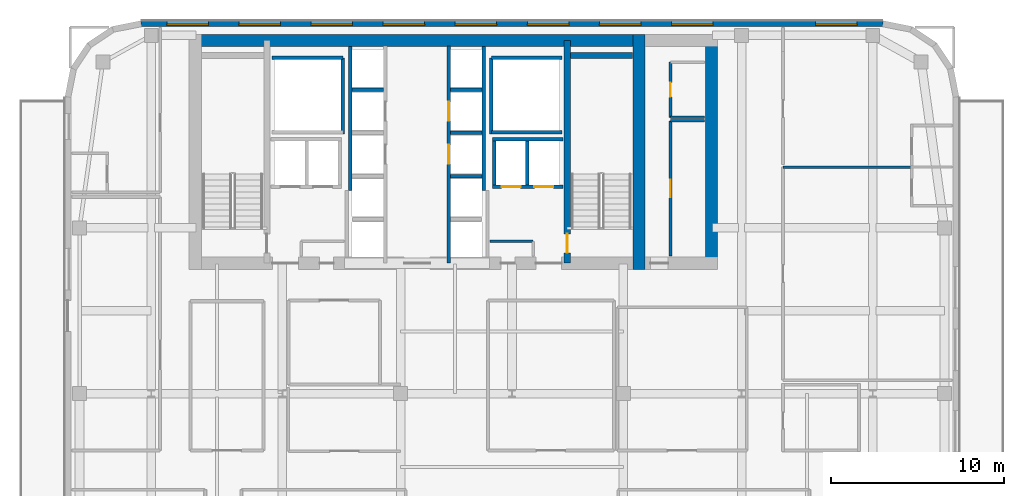
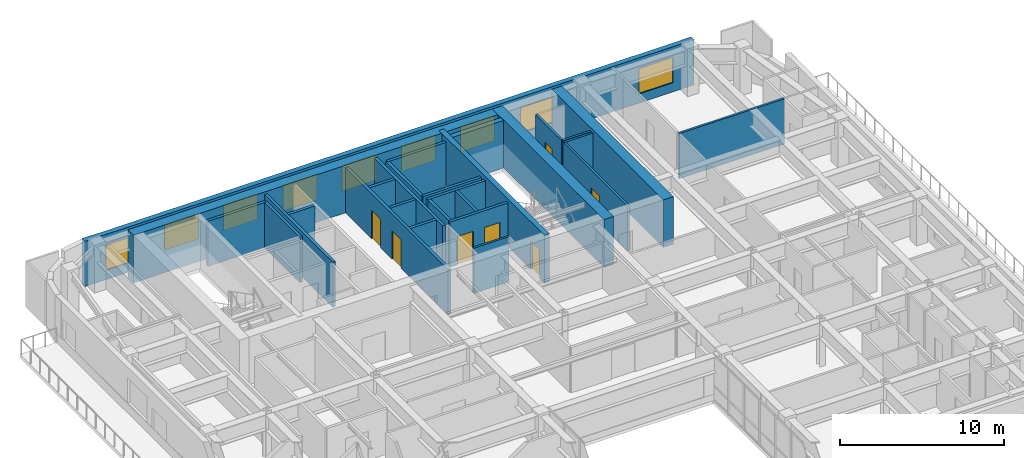
# One storey, part 14 of 20: 28 walls, 9 windows, 7 doors, 16 openings.
"""IFC4 building model written with IfcOpenShell, lengths in metres."""

from ifc_helpers import new_model, si_unit, direction, frame, frame_2d, origin, place, context, subcontext, project, spatial, rectangle, extrude, source, transform, mapped, material, layer, layer_set, type_object, type_shapes, element, fill, save


model = new_model("IFC4")

# Units and contexts
model_context = context("Model", 3, precision=1e-05, world=origin(), true_north=direction((0.0, 1.0)))
body_context = subcontext(model_context, "Body", "Model", "MODEL_VIEW")
ifc_project = project(units=[si_unit("LENGTHUNIT", "METRE"), si_unit("AREAUNIT", "SQUARE_METRE"), si_unit("VOLUMEUNIT", "CUBIC_METRE"), si_unit("PLANEANGLEUNIT", "RADIAN"), si_unit("MASSUNIT", "GRAM", prefix="KILO")], contexts=[model_context])

# Site, building, storey
site_placement = place(None, origin())
site = spatial("IfcSite", under=ifc_project, at=site_placement, CompositionType="ELEMENT")
building_placement = place(site_placement, origin())
building = spatial("IfcBuilding", under=site, at=building_placement, Name="Tolvann Quenvar Hotel", CompositionType="ELEMENT")
storey_placement = place(building_placement, frame((0.0, 0.0, 147.050048828125)))
storey = spatial("IfcBuildingStorey", under=building, at=storey_placement, Name="L38", CompositionType="ELEMENT", Elevation=147.050048828125)

# Walls
ifc_material_1 = material(Name="Concrete S65 (65 MPa)", Category="concrete")
ifc_layer_1 = layer(ifc_material_1, 0.699951171875)
ifc_layer_set_1 = layer_set([ifc_layer_1], Name="Concrete S65 (65 MPa)")
wall_type_1 = type_object("IfcWallType", Name="WALL_CORE_700", PredefinedType="SHEAR", material=ifc_layer_set_1)
wall_1_placement = place(storey_placement, frame((9.800048828125, 44.85009765625, 0.0), z_axis=(0.0, 0.0, 1.0), x_axis=(1.0, 0.0, 0.0)))
element("IfcWall", 1, at=wall_1_placement, inside=storey, type_object=wall_type_1, Name="Rear Core N Shear Wall (L38)", PredefinedType="SHEAR", context=body_context, shape_type="SweptSolid", body=[
    extrude(rectangle(XDim=26.39990234375, YDim=0.699951171875, at=frame_2d((13.199951171875, 0.0))), origin(), (0.0, 0.0, 1.0), 3.550048828125),
])
for number, where, z_axis, x_axis, name in (
    (2, (35.85009765625, 31.60009765625, 0.0), (0.0, 0.0, 1.0), (0.0, 1.0, 0.0), "Rear Core E Shear Wall (L38)"),
    (3, (40.050048828125, 31.60009765625, 0.0), (0.0, 0.0, 1.0), (0.0, 1.0, 0.0), "Core East Annex Shear Wall ANN-E (L38)"),
):
    element("IfcWall", number, at=place(storey_placement, frame(where, z_axis=z_axis, x_axis=x_axis)), inside=storey, type_object=wall_type_1, Name=name, PredefinedType="SHEAR", context=body_context, shape_type="SweptSolid", body=[
        extrude(rectangle(XDim=13.599853515625, YDim=0.699951171875, at=frame_2d((6.7998046875, 0.0))), origin(), (0.0, 0.0, 1.0), 3.550048828125),
    ])

# Wall, opening, door
ifc_layer_2 = layer(ifc_material_1, 0.35009765625)
ifc_layer_set_2 = layer_set([ifc_layer_2], Name="Concrete S65 (65 MPa)")
wall_type_2 = type_object("IfcWallType", Name="WALL_CORE_INT_350", PredefinedType="SHEAR", material=ifc_layer_set_2)
wall_2_placement = place(storey_placement, frame((31.699951171875, 31.949951171875, 0.0), z_axis=(0.0, 0.0, 1.0), x_axis=(0.0, 1.0, 0.0)))
wall_2 = element("IfcWall", 4, at=wall_2_placement, inside=storey, type_object=wall_type_2, Name="Core Internal Web Shear Wall WEB-E (L38)", PredefinedType="SHEAR", context=body_context, shape_type="SweptSolid", body=[
    extrude(rectangle(XDim=12.900146484375, YDim=0.35009765625, at=frame_2d((6.4501953125, 0.0))), origin(), (0.0, 0.0, 1.0), 3.550048828125),
])
opening_1_placement = place(wall_2_placement, frame((1.7001953125, 0.0, 0.0), z_axis=(0.0, 0.0, 1.0), x_axis=(-1.0, 0.0, 0.0)))
opening_1 = element("IfcOpeningElement", 5, at=opening_1_placement, cuts=wall_2, Name="Opening FD-120", PredefinedType="OPENING", context=body_context, shape_type="SweptSolid", body=[
    extrude(rectangle(XDim=1.10009765625, YDim=2.1201171875, at=frame_2d((0.550048828125, 1.06005859375))), frame((0.0, 0.18505859375, 0.0), z_axis=(0.0, -1.0, 0.0), x_axis=(1.0, 0.0, 0.0)), (0.0, 0.0, 1.0), 0.3701171875),
])
ifc_material_2 = material(Name="Pressed galvanised steel fire-rated door set", Category="steel")
door_type_1 = type_object("IfcDoorType", Name="DOOR_FIRE_STAIR_1100", OperationType="NOTDEFINED", PredefinedType="DOOR", material=ifc_material_2)
shared_shape_1 = source(origin(), body_context, "Body", "SweptSolid", [
    extrude(rectangle(XDim=1.10009765625, YDim=2.1201171875, at=frame_2d((0.550048828125, 1.06005859375))), frame((0.0, 0.02490234375, 0.0), z_axis=(0.0, -1.0, 0.0), x_axis=(1.0, 0.0, 0.0)), (0.0, 0.0, 1.0), 0.050048828125),
])
type_shapes(door_type_1, [shared_shape_1])
door_1_placement = place(opening_1_placement, origin())
door_1 = element("IfcDoor", 6, at=door_1_placement, inside=storey, type_object=door_type_1, Name="Exit Stair ST-C2 Fire Door (L38)", OperationType="SINGLE_SWING_RIGHT", OverallHeight=2.1201171875, OverallWidth=1.10009765625, PredefinedType="DOOR", context=body_context, shape_type="MappedRepresentation", body=[
    mapped(shared_shape_1, transform((0.0, 0.0, 0.0), x_axis=(1.0, 0.0, 0.0), y_axis=(0.0, 1.0, 0.0), z_axis=(0.0, 0.0, 1.0), scale=1.0)),
])
fill(opening_1, door_1)

# Wall
wall_3_placement = place(storey_placement, frame((31.8798828125, 43.97509765625, 0.0), z_axis=(0.0, 0.0, 1.0), x_axis=(1.0, 0.0, 0.0)))
element("IfcWall", 7, at=wall_3_placement, inside=storey, type_object=wall_type_2, Name="Core Stair North Closing Shear Wall STC2-N (L38)", PredefinedType="SHEAR", context=body_context, shape_type="SweptSolid", body=[
    extrude(rectangle(XDim=3.60009765625, YDim=0.35009765625, at=frame_2d((1.800048828125, 0.0))), origin(), (0.0, 0.0, 1.0), 3.550048828125),
])

# Wall, openings, windows
ifc_material_3 = material(Name="Kiln-fired red and buff architectural clay brickwork and terracotta masonry", Category="masonry")
ifc_layer_3 = layer(ifc_material_3, 0.35009765625)
ifc_layer_set_3 = layer_set([ifc_layer_3], Name="Kiln-fired red and buff architectural clay brickwork and terracotta masonry")
wall_type_3 = type_object("IfcWallType", Name="WALL_EXT_BRICK_350", PredefinedType="SOLIDWALL", material=ifc_layer_set_3)
wall_4_placement = place(storey_placement, frame((49.98291015625, 45.824951171875, 0.0), z_axis=(0.0, 0.0, 1.0), x_axis=(-1.0, 0.0, 0.0)))
wall_4 = element("IfcWall", 8, at=wall_4_placement, inside=storey, type_object=wall_type_3, Name="Exterior Chicago Brick Wall L38-E18", PredefinedType="SOLIDWALL", context=body_context, shape_type="SweptSolid", body=[
    extrude(rectangle(XDim=42.9658203125, YDim=0.35009765625, at=frame_2d((21.48291015625, 0.0))), origin(), (0.0, 0.0, 1.0), 3.369873046875),
])
opening_2_placement = place(wall_4_placement, frame((1.488037109375, 0.0, 0.679931640625)))
opening_2 = element("IfcOpeningElement", 9, at=opening_2_placement, cuts=wall_4, Name="Opening W-01", PredefinedType="OPENING", context=body_context, shape_type="SweptSolid", body=[
    extrude(rectangle(XDim=2.39990234375, YDim=1.89990234375, at=frame_2d((1.199951171875, 0.949951171875))), frame((0.0, 0.18505859375, 0.0), z_axis=(0.0, -1.0, 0.0), x_axis=(1.0, 0.0, 0.0)), (0.0, 0.0, 1.0), 0.3701171875),
])
opening_3_placement = place(wall_4_placement, frame((9.841064453125, 0.0, 0.679931640625)))
opening_3 = element("IfcOpeningElement", 10, at=opening_3_placement, cuts=wall_4, Name="Opening W-01", PredefinedType="OPENING", context=body_context, shape_type="SweptSolid", body=[
    extrude(rectangle(XDim=2.39990234375, YDim=1.89990234375, at=frame_2d((1.199951171875, 0.949951171875))), frame((0.0, 0.18505859375, 0.0), z_axis=(0.0, -1.0, 0.0), x_axis=(1.0, 0.0, 0.0)), (0.0, 0.0, 1.0), 0.3701171875),
])
opening_4_placement = place(wall_4_placement, frame((14.01806640625, 0.0, 0.679931640625)))
opening_4 = element("IfcOpeningElement", 11, at=opening_4_placement, cuts=wall_4, Name="Opening W-01", PredefinedType="OPENING", context=body_context, shape_type="SweptSolid", body=[
    extrude(rectangle(XDim=2.39990234375, YDim=1.89990234375, at=frame_2d((1.199951171875, 0.949951171875))), frame((0.0, 0.18505859375, 0.0), z_axis=(0.0, -1.0, 0.0), x_axis=(1.0, 0.0, 0.0)), (0.0, 0.0, 1.0), 0.3701171875),
])
opening_5_placement = place(wall_4_placement, frame((18.195068359375, 0.0, 0.679931640625)))
opening_5 = element("IfcOpeningElement", 12, at=opening_5_placement, cuts=wall_4, Name="Opening W-01", PredefinedType="OPENING", context=body_context, shape_type="SweptSolid", body=[
    extrude(rectangle(XDim=2.39990234375, YDim=1.89990234375, at=frame_2d((1.199951171875, 0.949951171875))), frame((0.0, 0.18505859375, 0.0), z_axis=(0.0, -1.0, 0.0), x_axis=(1.0, 0.0, 0.0)), (0.0, 0.0, 1.0), 0.3701171875),
])
opening_6_placement = place(wall_4_placement, frame((22.37109375, 0.0, 0.679931640625)))
opening_6 = element("IfcOpeningElement", 13, at=opening_6_placement, cuts=wall_4, Name="Opening W-01", PredefinedType="OPENING", context=body_context, shape_type="SweptSolid", body=[
    extrude(rectangle(XDim=2.39990234375, YDim=1.89990234375, at=frame_2d((1.199951171875, 0.949951171875))), frame((0.0, 0.18505859375, 0.0), z_axis=(0.0, -1.0, 0.0), x_axis=(1.0, 0.0, 0.0)), (0.0, 0.0, 1.0), 0.3701171875),
])
opening_7_placement = place(wall_4_placement, frame((26.548095703125, 0.0, 0.679931640625)))
opening_7 = element("IfcOpeningElement", 14, at=opening_7_placement, cuts=wall_4, Name="Opening W-01", PredefinedType="OPENING", context=body_context, shape_type="SweptSolid", body=[
    extrude(rectangle(XDim=2.39990234375, YDim=1.89990234375, at=frame_2d((1.199951171875, 0.949951171875))), frame((0.0, 0.18505859375, 0.0), z_axis=(0.0, -1.0, 0.0), x_axis=(1.0, 0.0, 0.0)), (0.0, 0.0, 1.0), 0.3701171875),
])
opening_8_placement = place(wall_4_placement, frame((30.72412109375, 0.0, 0.679931640625)))
opening_8 = element("IfcOpeningElement", 15, at=opening_8_placement, cuts=wall_4, Name="Opening W-01", PredefinedType="OPENING", context=body_context, shape_type="SweptSolid", body=[
    extrude(rectangle(XDim=2.39990234375, YDim=1.89990234375, at=frame_2d((1.199951171875, 0.949951171875))), frame((0.0, 0.18505859375, 0.0), z_axis=(0.0, -1.0, 0.0), x_axis=(1.0, 0.0, 0.0)), (0.0, 0.0, 1.0), 0.3701171875),
])
opening_9_placement = place(wall_4_placement, frame((34.90087890625, 0.0, 0.679931640625)))
opening_9 = element("IfcOpeningElement", 16, at=opening_9_placement, cuts=wall_4, Name="Opening W-01", PredefinedType="OPENING", context=body_context, shape_type="SweptSolid", body=[
    extrude(rectangle(XDim=2.39990234375, YDim=1.89990234375, at=frame_2d((1.199951171875, 0.949951171875))), frame((0.0, 0.18505859375, 0.0), z_axis=(0.0, -1.0, 0.0), x_axis=(1.0, 0.0, 0.0)), (0.0, 0.0, 1.0), 0.3701171875),
])
opening_10_placement = place(wall_4_placement, frame((39.076904296875, 0.0, 0.679931640625)))
opening_10 = element("IfcOpeningElement", 17, at=opening_10_placement, cuts=wall_4, Name="Opening W-01", PredefinedType="OPENING", context=body_context, shape_type="SweptSolid", body=[
    extrude(rectangle(XDim=2.39990234375, YDim=1.89990234375, at=frame_2d((1.199951171875, 0.949951171875))), frame((0.0, 0.18505859375, 0.0), z_axis=(0.0, -1.0, 0.0), x_axis=(1.0, 0.0, 0.0)), (0.0, 0.0, 1.0), 0.3701171875),
])
ifc_material_4 = material(Name="Thermally broken bronze-anodised aluminium frame with double low-E glazing", Category="aluminium")
window_type = type_object("IfcWindowType", Name="WIN_CHI_2400x2050", PartitioningType="TRIPLE_PANEL_HORIZONTAL", PredefinedType="WINDOW", material=ifc_material_4)
shared_shape_2 = source(origin(), body_context, "Body", "SweptSolid", [
    extrude(rectangle(XDim=2.39990234375, YDim=1.89990234375, at=frame_2d((1.199951171875, 0.949951171875))), frame((0.0, 0.090087890625, 0.0), z_axis=(0.0, -1.0, 0.0), x_axis=(1.0, 0.0, 0.0)), (0.0, 0.0, 1.0), 0.06005859375),
])
type_shapes(window_type, [shared_shape_2])
window_1_placement = place(opening_2_placement, origin())
window_1 = element("IfcWindow", 18, at=window_1_placement, inside=storey, type_object=window_type, Name="Chicago Window W-01 (EW-L38-E18-W01)", OverallHeight=1.89990234375, OverallWidth=2.39990234375, PartitioningType="TRIPLE_PANEL_HORIZONTAL", PredefinedType="WINDOW", context=body_context, shape_type="MappedRepresentation", body=[
    mapped(shared_shape_2, transform((0.0, 0.0, 0.0), x_axis=(1.0, 0.0, 0.0), y_axis=(0.0, 1.0, 0.0), z_axis=(0.0, 0.0, 1.0), scale=1.0)),
])
fill(opening_2, window_1)
window_2_placement = place(opening_3_placement, origin())
window_2 = element("IfcWindow", 19, at=window_2_placement, inside=storey, type_object=window_type, Name="Chicago Window W-01 (EW-L38-E18-W02)", OverallHeight=1.89990234375, OverallWidth=2.39990234375, PartitioningType="TRIPLE_PANEL_HORIZONTAL", PredefinedType="WINDOW", context=body_context, shape_type="MappedRepresentation", body=[
    mapped(shared_shape_2, transform((0.0, 0.0, 0.0), x_axis=(1.0, 0.0, 0.0), y_axis=(0.0, 1.0, 0.0), z_axis=(0.0, 0.0, 1.0), scale=1.0)),
])
fill(opening_3, window_2)
window_3_placement = place(opening_4_placement, origin())
window_3 = element("IfcWindow", 20, at=window_3_placement, inside=storey, type_object=window_type, Name="Chicago Window W-01 (EW-L38-E18-W03)", OverallHeight=1.89990234375, OverallWidth=2.39990234375, PartitioningType="TRIPLE_PANEL_HORIZONTAL", PredefinedType="WINDOW", context=body_context, shape_type="MappedRepresentation", body=[
    mapped(shared_shape_2, transform((0.0, 0.0, 0.0), x_axis=(1.0, 0.0, 0.0), y_axis=(0.0, 1.0, 0.0), z_axis=(0.0, 0.0, 1.0), scale=1.0)),
])
fill(opening_4, window_3)
window_4_placement = place(opening_5_placement, origin())
window_4 = element("IfcWindow", 21, at=window_4_placement, inside=storey, type_object=window_type, Name="Chicago Window W-01 (EW-L38-E18-W04)", OverallHeight=1.89990234375, OverallWidth=2.39990234375, PartitioningType="TRIPLE_PANEL_HORIZONTAL", PredefinedType="WINDOW", context=body_context, shape_type="MappedRepresentation", body=[
    mapped(shared_shape_2, transform((0.0, 0.0, 0.0), x_axis=(1.0, 0.0, 0.0), y_axis=(0.0, 1.0, 0.0), z_axis=(0.0, 0.0, 1.0), scale=1.0)),
])
fill(opening_5, window_4)
window_5_placement = place(opening_6_placement, origin())
window_5 = element("IfcWindow", 22, at=window_5_placement, inside=storey, type_object=window_type, Name="Chicago Window W-01 (EW-L38-E18-W05)", OverallHeight=1.89990234375, OverallWidth=2.39990234375, PartitioningType="TRIPLE_PANEL_HORIZONTAL", PredefinedType="WINDOW", context=body_context, shape_type="MappedRepresentation", body=[
    mapped(shared_shape_2, transform((0.0, 0.0, 0.0), x_axis=(1.0, 0.0, 0.0), y_axis=(0.0, 1.0, 0.0), z_axis=(0.0, 0.0, 1.0), scale=1.0)),
])
fill(opening_6, window_5)
window_6_placement = place(opening_7_placement, origin())
window_6 = element("IfcWindow", 23, at=window_6_placement, inside=storey, type_object=window_type, Name="Chicago Window W-01 (EW-L38-E18-W06)", OverallHeight=1.89990234375, OverallWidth=2.39990234375, PartitioningType="TRIPLE_PANEL_HORIZONTAL", PredefinedType="WINDOW", context=body_context, shape_type="MappedRepresentation", body=[
    mapped(shared_shape_2, transform((0.0, 0.0, 0.0), x_axis=(1.0, 0.0, 0.0), y_axis=(0.0, 1.0, 0.0), z_axis=(0.0, 0.0, 1.0), scale=1.0)),
])
fill(opening_7, window_6)
window_7_placement = place(opening_8_placement, origin())
window_7 = element("IfcWindow", 24, at=window_7_placement, inside=storey, type_object=window_type, Name="Chicago Window W-01 (EW-L38-E18-W07)", OverallHeight=1.89990234375, OverallWidth=2.39990234375, PartitioningType="TRIPLE_PANEL_HORIZONTAL", PredefinedType="WINDOW", context=body_context, shape_type="MappedRepresentation", body=[
    mapped(shared_shape_2, transform((0.0, 0.0, 0.0), x_axis=(1.0, 0.0, 0.0), y_axis=(0.0, 1.0, 0.0), z_axis=(0.0, 0.0, 1.0), scale=1.0)),
])
fill(opening_8, window_7)
window_8_placement = place(opening_9_placement, origin())
window_8 = element("IfcWindow", 25, at=window_8_placement, inside=storey, type_object=window_type, Name="Chicago Window W-01 (EW-L38-E18-W08)", OverallHeight=1.89990234375, OverallWidth=2.39990234375, PartitioningType="TRIPLE_PANEL_HORIZONTAL", PredefinedType="WINDOW", context=body_context, shape_type="MappedRepresentation", body=[
    mapped(shared_shape_2, transform((0.0, 0.0, 0.0), x_axis=(1.0, 0.0, 0.0), y_axis=(0.0, 1.0, 0.0), z_axis=(0.0, 0.0, 1.0), scale=1.0)),
])
fill(opening_9, window_8)
window_9_placement = place(opening_10_placement, origin())
window_9 = element("IfcWindow", 26, at=window_9_placement, inside=storey, type_object=window_type, Name="Chicago Window W-01 (EW-L38-E18-W09)", OverallHeight=1.89990234375, OverallWidth=2.39990234375, PartitioningType="TRIPLE_PANEL_HORIZONTAL", PredefinedType="WINDOW", context=body_context, shape_type="MappedRepresentation", body=[
    mapped(shared_shape_2, transform((0.0, 0.0, 0.0), x_axis=(1.0, 0.0, 0.0), y_axis=(0.0, 1.0, 0.0), z_axis=(0.0, 0.0, 1.0), scale=1.0)),
])
fill(opening_10, window_9)

# Walls
ifc_material_5 = material(Name="Acoustic twin-stud fire-rated gypsum plasterboard partition")
ifc_layer_4 = layer(ifc_material_5, 0.14990234375)
ifc_layer_set_4 = layer_set([ifc_layer_4], Name="Acoustic twin-stud fire-rated gypsum plasterboard partition")
wall_type_4 = type_object("IfcWallType", Name="WALL_PART_SUITE_150", PredefinedType="PARTITIONING", material=ifc_layer_set_4)
wall_5_placement = place(storey_placement, frame((27.235107421875, 33.219970703125, 0.0), z_axis=(0.0, 0.0, 1.0), x_axis=(1.0, 0.0, 0.0)))
element("IfcWall", 27, at=wall_5_placement, inside=storey, type_object=wall_type_4, Name="Interior Partition PT-SPC-L38-CSE-2-N", PredefinedType="PARTITIONING", context=body_context, shape_type="SweptSolid", body=[
    extrude(rectangle(XDim=2.48486328125, YDim=0.14990234375, at=frame_2d((1.242431640625, 0.0))), origin(), (0.0, 0.0, 1.0), 3.369873046875),
])
wall_6_placement = place(storey_placement, frame((37.679931640625, 40.199951171875, 0.0), z_axis=(0.0, 0.0, 1.0), x_axis=(1.0, 0.0, 0.0)))
element("IfcWall", 28, at=wall_6_placement, inside=storey, type_object=wall_type_4, Name="Interior Partition PT-SPC-L38-RECPL-1-N", PredefinedType="PARTITIONING", context=body_context, shape_type="SweptSolid", body=[
    extrude(rectangle(XDim=1.965087890625, YDim=0.14990234375, at=frame_2d((0.982421875, 0.0))), origin(), (0.0, 0.0, 1.0), 3.369873046875),
])

# Wall, opening, door
wall_7_placement = place(storey_placement, frame((37.679931640625, 32.35498046875, 0.0), z_axis=(0.0, 0.0, 1.0), x_axis=(0.0, 1.0, 0.0)))
wall_7 = element("IfcWall", 29, at=wall_7_placement, inside=storey, type_object=wall_type_4, Name="Interior Partition PT-SPC-L38-RECPL-1-W", PredefinedType="PARTITIONING", context=body_context, shape_type="SweptSolid", body=[
    extrude(rectangle(XDim=7.844970703125, YDim=0.14990234375, at=frame_2d((3.92236328125, 0.0))), origin(), (0.0, 0.0, 1.0), 3.369873046875),
])
opening_11_placement = place(wall_7_placement, frame((3.41259765625, 0.0, 0.0)))
opening_11 = element("IfcOpeningElement", 30, at=opening_11_placement, cuts=wall_7, Name="Opening HD-01", PredefinedType="OPENING", context=body_context, shape_type="SweptSolid", body=[
    extrude(rectangle(XDim=1.02001953125, YDim=2.030029296875, at=frame_2d((0.510009765625, 1.01513671875))), frame((0.0, 0.0849609375, 0.0), z_axis=(0.0, -1.0, 0.0), x_axis=(1.0, 0.0, 0.0)), (0.0, 0.0, 1.0), 0.169921875),
])
door_type_2 = type_object("IfcDoorType", Name="DOOR_BOH_1020", OperationType="NOTDEFINED", PredefinedType="DOOR", material=ifc_material_2)
shared_shape_3 = source(origin(), body_context, "Body", "SweptSolid", [
    extrude(rectangle(XDim=1.02001953125, YDim=2.030029296875, at=frame_2d((0.510009765625, 1.01513671875))), frame((0.0, 0.02490234375, 0.0), z_axis=(0.0, -1.0, 0.0), x_axis=(1.0, 0.0, 0.0)), (0.0, 0.0, 1.0), 0.050048828125),
])
type_shapes(door_type_2, [shared_shape_3])
door_2_placement = place(opening_11_placement, origin())
door_2 = element("IfcDoor", 31, at=door_2_placement, inside=storey, type_object=door_type_2, Name="Interior Door DOOR-SPC-L38-RECPL-1", OperationType="SINGLE_SWING_RIGHT", OverallHeight=2.030029296875, OverallWidth=1.02001953125, PredefinedType="DOOR", context=body_context, shape_type="MappedRepresentation", body=[
    mapped(shared_shape_3, transform((0.0, 0.0, 0.0), x_axis=(1.0, 0.0, 0.0), y_axis=(0.0, 1.0, 0.0), z_axis=(0.0, 0.0, 1.0), scale=1.0)),
])
fill(opening_11, door_2)

# Wall
wall_8_placement = place(storey_placement, frame((37.679931640625, 40.39990234375, 0.0), z_axis=(0.0, 0.0, 1.0), x_axis=(1.0, 0.0, 0.0)))
element("IfcWall", 32, at=wall_8_placement, inside=storey, type_object=wall_type_4, Name="Interior Partition PT-SPC-L38-CSE-1-S", PredefinedType="PARTITIONING", context=body_context, shape_type="SweptSolid", body=[
    extrude(rectangle(XDim=1.965087890625, YDim=0.14990234375, at=frame_2d((0.982421875, 0.0))), origin(), (0.0, 0.0, 1.0), 3.369873046875),
])

# Wall, opening, door
wall_9_placement = place(storey_placement, frame((37.679931640625, 40.39990234375, 0.0), z_axis=(0.0, 0.0, 1.0), x_axis=(0.0, 1.0, 0.0)))
wall_9 = element("IfcWall", 33, at=wall_9_placement, inside=storey, type_object=wall_type_4, Name="Interior Partition PT-SPC-L38-CSE-1-W", PredefinedType="PARTITIONING", context=body_context, shape_type="SweptSolid", body=[
    extrude(rectangle(XDim=3.2001953125, YDim=0.14990234375, at=frame_2d((1.60009765625, 0.0))), origin(), (0.0, 0.0, 1.0), 3.369873046875),
])
opening_12_placement = place(wall_9_placement, frame((1.18994140625, 0.0, 0.0)))
opening_12 = element("IfcOpeningElement", 34, at=opening_12_placement, cuts=wall_9, Name="Opening HD-02", PredefinedType="OPENING", context=body_context, shape_type="SweptSolid", body=[
    extrude(rectangle(XDim=0.820068359375, YDim=2.010009765625, at=frame_2d((0.41015625, 1.0048828125))), frame((0.0, 0.0849609375, 0.0), z_axis=(0.0, -1.0, 0.0), x_axis=(1.0, 0.0, 0.0)), (0.0, 0.0, 1.0), 0.169921875),
])
door_type_3 = type_object("IfcDoorType", Name="DOOR_STORE_820", OperationType="NOTDEFINED", PredefinedType="DOOR", material=ifc_material_2)
shared_shape_4 = source(origin(), body_context, "Body", "SweptSolid", [
    extrude(rectangle(XDim=0.820068359375, YDim=2.010009765625, at=frame_2d((0.41015625, 1.0048828125))), frame((0.0, 0.02490234375, 0.0), z_axis=(0.0, -1.0, 0.0), x_axis=(1.0, 0.0, 0.0)), (0.0, 0.0, 1.0), 0.050048828125),
])
type_shapes(door_type_3, [shared_shape_4])
door_3_placement = place(opening_12_placement, origin())
door_3 = element("IfcDoor", 35, at=door_3_placement, inside=storey, type_object=door_type_3, Name="Interior Door DOOR-SPC-L38-CSE-1", OperationType="SINGLE_SWING_LEFT", OverallHeight=2.010009765625, OverallWidth=0.820068359375, PredefinedType="DOOR", context=body_context, shape_type="MappedRepresentation", body=[
    mapped(shared_shape_4, transform((0.0, 0.0, 0.0), x_axis=(1.0, 0.0, 0.0), y_axis=(0.0, 1.0, 0.0), z_axis=(0.0, 0.0, 1.0), scale=1.0)),
])
fill(opening_12, door_3)

# Walls
wall_10_placement = place(storey_placement, frame((44.199951171875, 37.52001953125, 0.0), z_axis=(0.0, 0.0, 1.0), x_axis=(1.0, 0.0, 0.0)))
element("IfcWall", 36, at=wall_10_placement, inside=storey, type_object=wall_type_4, Name="Interior Partition PT-SPC-L38-RM-NE01-E5", PredefinedType="PARTITIONING", context=body_context, shape_type="SweptSolid", body=[
    extrude(rectangle(XDim=7.429931640625, YDim=0.14990234375, at=frame_2d((3.71484375, 0.0))), origin(), (0.0, 0.0, 1.0), 3.369873046875),
])
ifc_material_6 = material(Name="Concrete N40 (40 MPa)", Category="concrete")
ifc_layer_5 = layer(ifc_material_6, 0.199951171875)
ifc_layer_set_5 = layer_set([ifc_layer_5], Name="Concrete N40 (40 MPa)")
wall_type_5 = type_object("IfcWallType", Name="WALL_SHAFT_200", PredefinedType="SOLIDWALL", material=ifc_layer_set_5)
wall_11_placement = place(storey_placement, frame((18.699951171875, 39.449951171875, 0.0), z_axis=(0.0, 0.0, 1.0), x_axis=(0.0, 1.0, 0.0)))
element("IfcWall", 37, at=wall_11_placement, inside=storey, type_object=wall_type_5, Name="Service Riser W Shaft Wall IN (L38)", PredefinedType="SOLIDWALL", context=body_context, shape_type="SweptSolid", body=[
    extrude(rectangle(XDim=4.400146484375, YDim=0.199951171875, at=frame_2d((2.2001953125, 0.0))), origin(), (0.0, 0.0, 1.0), 3.369873046875),
])
wall_12_placement = place(storey_placement, frame((14.60009765625, 43.85009765625, 0.0), z_axis=(0.0, 0.0, 1.0), x_axis=(1.0, 0.0, 0.0)))
element("IfcWall", 38, at=wall_12_placement, inside=storey, type_object=wall_type_5, Name="Service Riser W Shaft Wall N (L38)", PredefinedType="SOLIDWALL", context=body_context, shape_type="SweptSolid", body=[
    extrude(rectangle(XDim=4.099853515625, YDim=0.199951171875, at=frame_2d((2.0498046875, 0.0))), origin(), (0.0, 0.0, 1.0), 3.369873046875),
])
wall_13_placement = place(storey_placement, frame((27.300048828125, 39.449951171875, 0.0), z_axis=(0.0, 0.0, 1.0), x_axis=(0.0, 1.0, 0.0)))
element("IfcWall", 39, at=wall_13_placement, inside=storey, type_object=wall_type_5, Name="Service Riser E Shaft Wall IN (L38)", PredefinedType="SOLIDWALL", context=body_context, shape_type="SweptSolid", body=[
    extrude(rectangle(XDim=4.400146484375, YDim=0.199951171875, at=frame_2d((2.2001953125, 0.0))), origin(), (0.0, 0.0, 1.0), 3.369873046875),
])
for number, where, z_axis, x_axis, name in (
    (40, (27.300048828125, 39.550048828125, 0.0), (0.0, 0.0, 1.0), (1.0, 0.0, 0.0), "Service Riser E Shaft Wall S (L38)"),
    (41, (27.300048828125, 43.85009765625, 0.0), (0.0, 0.0, 1.0), (1.0, 0.0, 0.0), "Service Riser E Shaft Wall N (L38)"),
):
    element("IfcWall", number, at=place(storey_placement, frame(where, z_axis=z_axis, x_axis=x_axis)), inside=storey, type_object=wall_type_5, Name=name, PredefinedType="SOLIDWALL", context=body_context, shape_type="SweptSolid", body=[
        extrude(rectangle(XDim=4.099853515625, YDim=0.199951171875, at=frame_2d((2.0498046875, 0.0))), origin(), (0.0, 0.0, 1.0), 3.369873046875),
    ])
wall_14_placement = place(storey_placement, frame((19.1298828125, 36.159912109375, 0.0), z_axis=(0.0, 0.0, 1.0), x_axis=(0.0, 1.0, 0.0)))
element("IfcWall", 42, at=wall_14_placement, inside=storey, type_object=wall_type_5, Name="Lift Bank E21.1C1 Hoistway Rear Wall (L38)", PredefinedType="SOLIDWALL", context=body_context, shape_type="SweptSolid", body=[
    extrude(rectangle(XDim=8.336181640625, YDim=0.199951171875, at=frame_2d((4.16796875, 0.0))), origin(), (0.0, 0.0, 1.0), 3.369873046875),
])
wall_15_placement = place(storey_placement, frame((19.22998046875, 42.0, 0.0), z_axis=(0.0, 0.0, 1.0), x_axis=(1.0, 0.0, 0.0)))
element("IfcWall", 43, at=wall_15_placement, inside=storey, type_object=wall_type_5, Name="Lift Bank E21.1C1 Divider Wall 4 (L38)", PredefinedType="SOLIDWALL", context=body_context, shape_type="SweptSolid", body=[
    extrude(rectangle(XDim=1.840087890625, YDim=0.199951171875, at=frame_2d((0.919921875, 0.0))), origin(), (0.0, 0.0, 1.0), 3.369873046875),
])

# Wall, openings, doors
wall_16_placement = place(storey_placement, frame((27.375, 36.3798828125, 0.0), z_axis=(0.0, 0.0, 1.0), x_axis=(1.0, 0.0, 0.0)))
wall_16 = element("IfcWall", 44, at=wall_16_placement, inside=storey, type_object=wall_type_5, Name="Lift Bank SEC1 Hoistway Front Wall (L38)", PredefinedType="SOLIDWALL", context=body_context, shape_type="SweptSolid", body=[
    extrude(rectangle(XDim=4.074951171875, YDim=0.199951171875, at=frame_2d((2.03759765625, 0.0))), origin(), (0.0, 0.0, 1.0), 3.369873046875),
])
opening_13_placement = place(wall_16_placement, frame((0.52490234375, 0.0, 0.0)))
opening_13 = element("IfcOpeningElement", 45, at=opening_13_placement, cuts=wall_16, Name="Opening LD-01", PredefinedType="OPENING", context=body_context, shape_type="SweptSolid", body=[
    extrude(rectangle(XDim=1.10009765625, YDim=2.1201171875, at=frame_2d((0.550048828125, 1.06005859375))), frame((0.0, 0.10986328125, 0.0), z_axis=(0.0, -1.0, 0.0), x_axis=(1.0, 0.0, 0.0)), (0.0, 0.0, 1.0), 0.219970703125),
])
opening_14_placement = place(wall_16_placement, frame((2.425048828125, 0.0, 0.0)))
opening_14 = element("IfcOpeningElement", 46, at=opening_14_placement, cuts=wall_16, Name="Opening LD-01", PredefinedType="OPENING", context=body_context, shape_type="SweptSolid", body=[
    extrude(rectangle(XDim=1.10009765625, YDim=2.1201171875, at=frame_2d((0.550048828125, 1.06005859375))), frame((0.0, 0.10986328125, 0.0), z_axis=(0.0, -1.0, 0.0), x_axis=(1.0, 0.0, 0.0)), (0.0, 0.0, 1.0), 0.219970703125),
])
ifc_material_7 = material(Name="Brushed 316 stainless steel automatic sliding lift landing door", Category="steel")
door_type_4 = type_object("IfcDoorType", Name="DOOR_LIFT_SLIDE_1100", OperationType="NOTDEFINED", PredefinedType="DOOR", material=ifc_material_7)
shared_shape_5 = source(origin(), body_context, "Body", "SweptSolid", [
    extrude(rectangle(XDim=1.10009765625, YDim=2.1201171875, at=frame_2d((0.550048828125, 1.06005859375))), frame((0.0, 0.02490234375, 0.0), z_axis=(0.0, -1.0, 0.0), x_axis=(1.0, 0.0, 0.0)), (0.0, 0.0, 1.0), 0.050048828125),
])
type_shapes(door_type_4, [shared_shape_5])
door_4_placement = place(opening_13_placement, origin())
door_4 = element("IfcDoor", 47, at=door_4_placement, inside=storey, type_object=door_type_4, Name="Lift SV-2 Sliding Landing Door (L38)", OperationType="SLIDING_TO_LEFT", OverallHeight=2.1201171875, OverallWidth=1.10009765625, PredefinedType="DOOR", context=body_context, shape_type="MappedRepresentation", body=[
    mapped(shared_shape_5, transform((0.0, 0.0, 0.0), x_axis=(1.0, 0.0, 0.0), y_axis=(0.0, 1.0, 0.0), z_axis=(0.0, 0.0, 1.0), scale=1.0)),
])
fill(opening_13, door_4)
door_5_placement = place(opening_14_placement, origin())
door_5 = element("IfcDoor", 48, at=door_5_placement, inside=storey, type_object=door_type_4, Name="Lift FF-2 Sliding Landing Door (L38)", OperationType="SLIDING_TO_RIGHT", OverallHeight=2.1201171875, OverallWidth=1.10009765625, PredefinedType="DOOR", context=body_context, shape_type="MappedRepresentation", body=[
    mapped(shared_shape_5, transform((0.0, 0.0, 0.0), x_axis=(1.0, 0.0, 0.0), y_axis=(0.0, 1.0, 0.0), z_axis=(0.0, 0.0, 1.0), scale=1.0)),
])
fill(opening_14, door_5)

# Walls
wall_17_placement = place(storey_placement, frame((27.375, 39.1201171875, 0.0), z_axis=(0.0, 0.0, 1.0), x_axis=(1.0, 0.0, 0.0)))
element("IfcWall", 49, at=wall_17_placement, inside=storey, type_object=wall_type_5, Name="Lift Bank SEC1 Hoistway Rear Wall (L38)", PredefinedType="SOLIDWALL", context=body_context, shape_type="SweptSolid", body=[
    extrude(rectangle(XDim=4.074951171875, YDim=0.199951171875, at=frame_2d((2.03759765625, 0.0))), origin(), (0.0, 0.0, 1.0), 3.369873046875),
])
for number, where, z_axis, x_axis, name in (
    (50, (27.47509765625, 36.47998046875, 0.0), (0.0, 0.0, 1.0), (0.0, 1.0, 0.0), "Lift Bank SEC1 Hoistway Cheek Wall 1 (L38)"),
    (51, (29.387451171875, 36.47998046875, 0.0), (0.0, 0.0, 1.0), (0.0, 1.0, 0.0), "Lift Bank SEC1 Divider Wall 1 (L38)"),
):
    element("IfcWall", number, at=place(storey_placement, frame(where, z_axis=z_axis, x_axis=x_axis)), inside=storey, type_object=wall_type_5, Name=name, PredefinedType="SOLIDWALL", context=body_context, shape_type="SweptSolid", body=[
        extrude(rectangle(XDim=2.5400390625, YDim=0.199951171875, at=frame_2d((1.27001953125, 0.0))), origin(), (0.0, 0.0, 1.0), 3.369873046875),
    ])

# Wall, openings, doors
wall_18_placement = place(storey_placement, frame((24.830078125, 31.9599609375, 0.0), z_axis=(0.0, 0.0, 1.0), x_axis=(0.0, 1.0, 0.0)))
wall_18 = element("IfcWall", 52, at=wall_18_placement, inside=storey, type_object=wall_type_5, Name="Lift Bank W24.9C1 Hoistway Front Wall (L38)", PredefinedType="SOLIDWALL", context=body_context, shape_type="SweptSolid", body=[
    extrude(rectangle(XDim=12.580078125, YDim=0.199951171875, at=frame_2d((6.2900390625, 0.0))), origin(), (0.0, 0.0, 1.0), 3.369873046875),
])
opening_15_placement = place(wall_18_placement, frame((5.739990234375, 0.0, 0.0)))
opening_15 = element("IfcOpeningElement", 53, at=opening_15_placement, cuts=wall_18, Name="Opening LD-01", PredefinedType="OPENING", context=body_context, shape_type="SweptSolid", body=[
    extrude(rectangle(XDim=1.10009765625, YDim=2.1201171875, at=frame_2d((0.550048828125, 1.06005859375))), frame((0.0, 0.10986328125, 0.0), z_axis=(0.0, -1.0, 0.0), x_axis=(1.0, 0.0, 0.0)), (0.0, 0.0, 1.0), 0.219970703125),
])
opening_16_placement = place(wall_18_placement, frame((8.239990234375, 0.0, 0.0)))
opening_16 = element("IfcOpeningElement", 54, at=opening_16_placement, cuts=wall_18, Name="Opening LD-01", PredefinedType="OPENING", context=body_context, shape_type="SweptSolid", body=[
    extrude(rectangle(XDim=1.10009765625, YDim=2.1201171875, at=frame_2d((0.550048828125, 1.06005859375))), frame((0.0, 0.10986328125, 0.0), z_axis=(0.0, -1.0, 0.0), x_axis=(1.0, 0.0, 0.0)), (0.0, 0.0, 1.0), 0.219970703125),
])
door_6_placement = place(opening_15_placement, origin())
door_6 = element("IfcDoor", 55, at=door_6_placement, inside=storey, type_object=door_type_4, Name="Lift PM-3 Sliding Landing Door (L38)", OperationType="SLIDING_TO_RIGHT", OverallHeight=2.1201171875, OverallWidth=1.10009765625, PredefinedType="DOOR", context=body_context, shape_type="MappedRepresentation", body=[
    mapped(shared_shape_5, transform((0.0, 0.0, 0.0), x_axis=(1.0, 0.0, 0.0), y_axis=(0.0, 1.0, 0.0), z_axis=(0.0, 0.0, 1.0), scale=1.0)),
])
fill(opening_15, door_6)
door_7_placement = place(opening_16_placement, origin())
door_7 = element("IfcDoor", 56, at=door_7_placement, inside=storey, type_object=door_type_4, Name="Lift PM-4 Sliding Landing Door (L38)", OperationType="SLIDING_TO_LEFT", OverallHeight=2.1201171875, OverallWidth=1.10009765625, PredefinedType="DOOR", context=body_context, shape_type="MappedRepresentation", body=[
    mapped(shared_shape_5, transform((0.0, 0.0, 0.0), x_axis=(1.0, 0.0, 0.0), y_axis=(0.0, 1.0, 0.0), z_axis=(0.0, 0.0, 1.0), scale=1.0)),
])
fill(opening_16, door_7)

# Walls
wall_19_placement = place(storey_placement, frame((26.8701171875, 36.159912109375, 0.0), z_axis=(0.0, 0.0, 1.0), x_axis=(0.0, 1.0, 0.0)))
element("IfcWall", 57, at=wall_19_placement, inside=storey, type_object=wall_type_5, Name="Lift Bank W24.9C1 Hoistway Rear Wall (L38)", PredefinedType="SOLIDWALL", context=body_context, shape_type="SweptSolid", body=[
    extrude(rectangle(XDim=8.336181640625, YDim=0.199951171875, at=frame_2d((4.16796875, 0.0))), origin(), (0.0, 0.0, 1.0), 3.369873046875),
])
for number, where, z_axis, x_axis, name in (
    (58, (24.929931640625, 37.0, 0.0), (0.0, 0.0, 1.0), (1.0, 0.0, 0.0), "Lift Bank W24.9C1 Divider Wall 2 (L38)"),
    (59, (24.929931640625, 39.5, 0.0), (0.0, 0.0, 1.0), (1.0, 0.0, 0.0), "Lift Bank W24.9C1 Divider Wall 3 (L38)"),
    (60, (24.929931640625, 42.0, 0.0), (0.0, 0.0, 1.0), (1.0, 0.0, 0.0), "Lift Bank W24.9C1 Divider Wall 4 (L38)"),
):
    element("IfcWall", number, at=place(storey_placement, frame(where, z_axis=z_axis, x_axis=x_axis)), inside=storey, type_object=wall_type_5, Name=name, PredefinedType="SOLIDWALL", context=body_context, shape_type="SweptSolid", body=[
        extrude(rectangle(XDim=1.840087890625, YDim=0.199951171875, at=frame_2d((0.919921875, 0.0))), origin(), (0.0, 0.0, 1.0), 3.369873046875),
    ])

save(model, "model.ifc")
